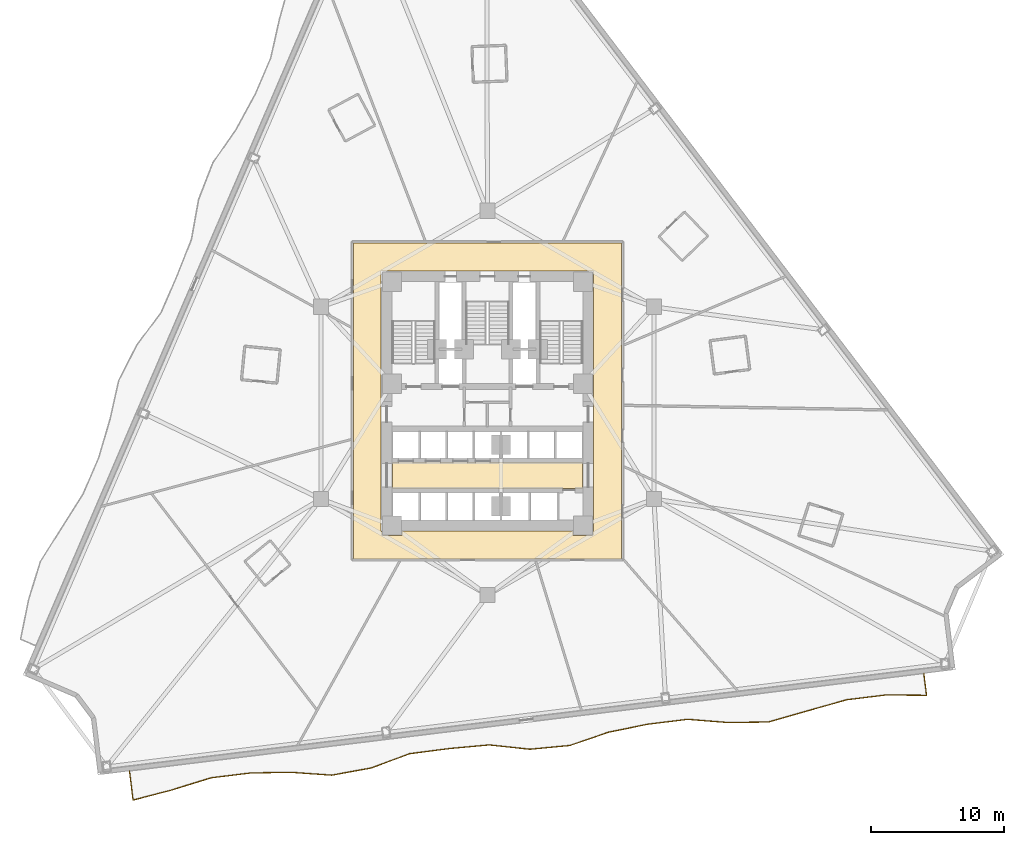
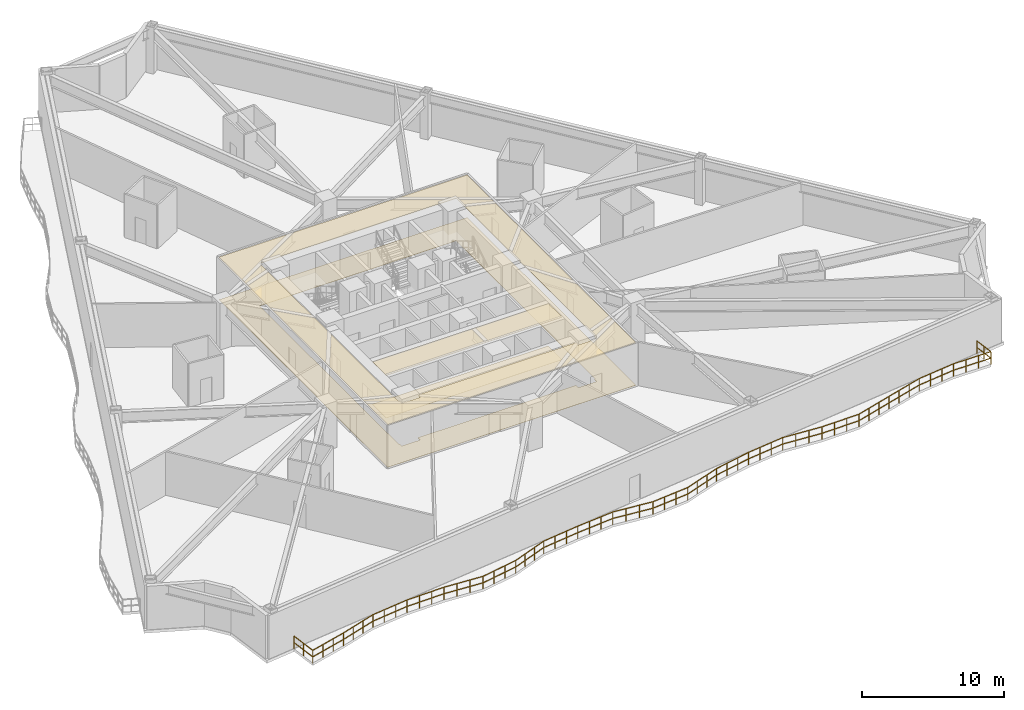
# One storey, part 9 of 12: 4 coverings, 1 railing.
"""IFC4 building model written with IfcOpenShell, lengths in metres."""

from ifc_helpers import new_model, si_unit, direction, frame, origin, origin_2d, place, context, subcontext, project, spatial, polyline, rectangle, outline, extrude, material, layer, layer_set, type_object, element, save


model = new_model("IFC4")

# Units and contexts
model_context = context("Model", 3, precision=1e-05, world=origin(), true_north=direction((0.0, 1.0)))
body_context = subcontext(model_context, "Body", "Model", "MODEL_VIEW")
ifc_project = project(units=[si_unit("LENGTHUNIT", "METRE"), si_unit("AREAUNIT", "SQUARE_METRE"), si_unit("VOLUMEUNIT", "CUBIC_METRE"), si_unit("PLANEANGLEUNIT", "RADIAN"), si_unit("MASSUNIT", "GRAM", prefix="KILO")], contexts=[model_context])

# Site, building, storey
site_placement = place(None, origin())
site = spatial("IfcSite", under=ifc_project, at=site_placement, CompositionType="ELEMENT")
building_placement = place(site_placement, origin())
building = spatial("IfcBuilding", under=site, at=building_placement, Name="Apsidion Concourse Tower", CompositionType="ELEMENT")
storey_placement = place(building_placement, frame((0.0, 0.0, 71.0)))
storey = spatial("IfcBuildingStorey", under=building, at=storey_placement, Name="L15", CompositionType="ELEMENT", Elevation=71.0)

# Coverings
ifc_material_1 = material(Name="Acoustic mineral fibre ceiling")
ifc_layer_1 = layer(ifc_material_1, 0.0400390625)
ifc_layer_set_1 = layer_set([ifc_layer_1], Name="Acoustic mineral fibre ceiling")
covering_type_1 = type_object("IfcCoveringType", Name="COV-CEIL-40", PredefinedType="CEILING", material=ifc_layer_set_1)
covering_1_placement = place(storey_placement, frame((0.0, 0.0, 3.64990234375)))
element("IfcCovering", 1, at=covering_1_placement, inside=storey, type_object=covering_type_1, Name="L15 Acoustic Ceiling Grid 1", PredefinedType="CEILING", context=body_context, shape_type="SweptSolid", body=[
    extrude(outline(polyline([(-7.179931640625, -6.449951171875), (-7.179931640625, -4.47998046875), (7.179931640625, -4.47998046875), (7.179931640625, -6.449951171875), (-7.179931640625, -6.449951171875)])), origin(), (0.0, 0.0, 1.0), 0.0400390625),
])
covering_2_placement = place(storey_placement, frame((0.0, 0.0, 3.64990234375)))
element("IfcCovering", 2, at=covering_2_placement, inside=storey, type_object=covering_type_1, Name="L15 Acoustic Ceiling Grid 2", PredefinedType="CEILING", context=body_context, shape_type="SweptSolid", body=[
    extrude(outline(polyline([(10.1201171875, 12.070068359375), (10.1201171875, -11.77001953125), (-10.1201171875, -11.77001953125), (-10.1201171875, 12.070068359375), (10.1201171875, 12.070068359375)]), holes=[polyline([(-8.02001953125, -9.669921875), (-7.945068359375, -9.669921875), (-7.945068359375, -9.97509765625), (-7.94482421875, -9.97705078125), (-7.944580078125, -9.97900390625), (-7.944091796875, -9.980712890625), (-7.943603515625, -9.982666015625), (-7.942626953125, -9.984375), (-7.941650390625, -9.986083984375), (-7.9404296875, -9.98779296875), (-7.939208984375, -9.989013671875), (-7.937744140625, -9.990478515625), (-7.93603515625, -9.99169921875), (-7.934326171875, -9.99267578125), (-7.9326171875, -9.993408203125), (-7.930908203125, -9.994140625), (-7.928955078125, -9.99462890625), (-7.927001953125, -9.994873046875), (-7.925048828125, -9.9951171875), (-6.47509765625, -9.9951171875), (-6.472900390625, -9.994873046875), (-6.47119140625, -9.99462890625), (-6.46923828125, -9.994140625), (-6.46728515625, -9.993408203125), (-6.465576171875, -9.99267578125), (-6.4638671875, -9.99169921875), (-6.46240234375, -9.990478515625), (-6.4609375, -9.989013671875), (-6.45947265625, -9.98779296875), (-6.45849609375, -9.986083984375), (-6.45751953125, -9.984375), (-6.45654296875, -9.982666015625), (-6.455810546875, -9.980712890625), (-6.455322265625, -9.97900390625), (-6.455078125, -9.97705078125), (-6.455078125, -9.97509765625), (-6.455078125, -9.669921875), (6.455078125, -9.669921875), (6.455078125, -9.97509765625), (6.455078125, -9.97705078125), (6.455322265625, -9.97900390625), (6.455810546875, -9.980712890625), (6.45654296875, -9.982666015625), (6.45751953125, -9.984375), (6.45849609375, -9.986083984375), (6.45947265625, -9.98779296875), (6.4609375, -9.989013671875), (6.46240234375, -9.990478515625), (6.4638671875, -9.99169921875), (6.465576171875, -9.99267578125), (6.46728515625, -9.993408203125), (6.46923828125, -9.994140625), (6.47119140625, -9.99462890625), (6.472900390625, -9.994873046875), (6.47509765625, -9.9951171875), (7.925048828125, -9.9951171875), (7.927001953125, -9.994873046875), (7.928955078125, -9.99462890625), (7.930908203125, -9.994140625), (7.9326171875, -9.993408203125), (7.934326171875, -9.99267578125), (7.93603515625, -9.99169921875), (7.937744140625, -9.990478515625), (7.939208984375, -9.989013671875), (7.9404296875, -9.98779296875), (7.941650390625, -9.986083984375), (7.942626953125, -9.984375), (7.943603515625, -9.982666015625), (7.944091796875, -9.980712890625), (7.944580078125, -9.97900390625), (7.94482421875, -9.97705078125), (7.945068359375, -9.97509765625), (7.945068359375, -9.669921875), (8.02001953125, -9.669921875), (8.02001953125, 9.969970703125), (-8.02001953125, 9.969970703125), (-8.02001953125, -9.669921875)])]), origin(), (0.0, 0.0, 1.0), 0.0400390625),
])
ifc_material_2 = material(Name="Honed travertine floor finish", Category="masonry")
ifc_layer_2 = layer(ifc_material_2, 0.02001953125)
ifc_layer_set_2 = layer_set([ifc_layer_2], Name="Honed travertine floor finish")
covering_type_2 = type_object("IfcCoveringType", Name="COV-FLOR-20", PredefinedType="FLOORING", material=ifc_layer_set_2)
covering_3_placement = place(storey_placement, origin())
element("IfcCovering", 3, at=covering_3_placement, inside=storey, type_object=covering_type_2, Name="L15 Honed Travertine Floor Finish 1", PredefinedType="FLOORING", context=body_context, shape_type="SweptSolid", body=[
    extrude(outline(polyline([(-7.179931640625, -6.449951171875), (-7.179931640625, -4.47998046875), (7.179931640625, -4.47998046875), (7.179931640625, -6.449951171875), (-7.179931640625, -6.449951171875)])), origin(), (0.0, 0.0, 1.0), 0.02001953125),
])
covering_4_placement = place(storey_placement, origin())
element("IfcCovering", 4, at=covering_4_placement, inside=storey, type_object=covering_type_2, Name="L15 Honed Travertine Floor Finish 2", PredefinedType="FLOORING", context=body_context, shape_type="SweptSolid", body=[
    extrude(outline(polyline([(10.1201171875, 12.070068359375), (10.1201171875, -11.77001953125), (-10.1201171875, -11.77001953125), (-10.1201171875, 12.070068359375), (10.1201171875, 12.070068359375)]), holes=[polyline([(-8.02001953125, -9.669921875), (-7.945068359375, -9.669921875), (-7.945068359375, -9.97509765625), (-7.94482421875, -9.97705078125), (-7.944580078125, -9.97900390625), (-7.944091796875, -9.980712890625), (-7.943603515625, -9.982666015625), (-7.942626953125, -9.984375), (-7.941650390625, -9.986083984375), (-7.9404296875, -9.98779296875), (-7.939208984375, -9.989013671875), (-7.937744140625, -9.990478515625), (-7.93603515625, -9.99169921875), (-7.934326171875, -9.99267578125), (-7.9326171875, -9.993408203125), (-7.930908203125, -9.994140625), (-7.928955078125, -9.99462890625), (-7.927001953125, -9.994873046875), (-7.925048828125, -9.9951171875), (-6.47509765625, -9.9951171875), (-6.472900390625, -9.994873046875), (-6.47119140625, -9.99462890625), (-6.46923828125, -9.994140625), (-6.46728515625, -9.993408203125), (-6.465576171875, -9.99267578125), (-6.4638671875, -9.99169921875), (-6.46240234375, -9.990478515625), (-6.4609375, -9.989013671875), (-6.45947265625, -9.98779296875), (-6.45849609375, -9.986083984375), (-6.45751953125, -9.984375), (-6.45654296875, -9.982666015625), (-6.455810546875, -9.980712890625), (-6.455322265625, -9.97900390625), (-6.455078125, -9.97705078125), (-6.455078125, -9.97509765625), (-6.455078125, -9.669921875), (6.455078125, -9.669921875), (6.455078125, -9.97509765625), (6.455078125, -9.97705078125), (6.455322265625, -9.97900390625), (6.455810546875, -9.980712890625), (6.45654296875, -9.982666015625), (6.45751953125, -9.984375), (6.45849609375, -9.986083984375), (6.45947265625, -9.98779296875), (6.4609375, -9.989013671875), (6.46240234375, -9.990478515625), (6.4638671875, -9.99169921875), (6.465576171875, -9.99267578125), (6.46728515625, -9.993408203125), (6.46923828125, -9.994140625), (6.47119140625, -9.99462890625), (6.472900390625, -9.994873046875), (6.47509765625, -9.9951171875), (7.925048828125, -9.9951171875), (7.927001953125, -9.994873046875), (7.928955078125, -9.99462890625), (7.930908203125, -9.994140625), (7.9326171875, -9.993408203125), (7.934326171875, -9.99267578125), (7.93603515625, -9.99169921875), (7.937744140625, -9.990478515625), (7.939208984375, -9.989013671875), (7.9404296875, -9.98779296875), (7.941650390625, -9.986083984375), (7.942626953125, -9.984375), (7.943603515625, -9.982666015625), (7.944091796875, -9.980712890625), (7.944580078125, -9.97900390625), (7.94482421875, -9.97705078125), (7.945068359375, -9.97509765625), (7.945068359375, -9.669921875), (8.02001953125, -9.669921875), (8.02001953125, 9.969970703125), (-8.02001953125, 9.969970703125), (-8.02001953125, -9.669921875)])]), origin(), (0.0, 0.0, 1.0), 0.02001953125),
])

# Railing
ifc_material_3 = material(Name="Brushed stainless steel 316", Category="steel")
railing_type = type_object("IfcRailingType", Name="RL-BAL-1120", PredefinedType="BALUSTRADE", material=ifc_material_3)
railing_placement = place(storey_placement, frame((32.931640625, -20.427734375, 0.0)))
element("IfcRailing", 5, at=railing_placement, inside=storey, type_object=railing_type, Name="L15 Face 2 Rippling Balcony Balustrade", PredefinedType="BALUSTRADE", context=body_context, shape_type="SweptSolid", body=[
    extrude(rectangle(XDim=0.048095703125, YDim=0.048095703125, at=origin_2d()), frame((0.0, 0.0, 1.09619140625), z_axis=(0.12192198888, -0.992539686173, 0.0), x_axis=(0.992539686173, 0.12192198888, 0.0)), (0.0, 0.0, 1.0), 1.64990234375),
    extrude(rectangle(XDim=0.048095703125, YDim=0.048095703125, at=origin_2d()), frame((0.0, 0.0, 0.5361328125), z_axis=(0.12192198888, -0.992539686173, 0.0), x_axis=(0.992539686173, 0.12192198888, 0.0)), (0.0, 0.0, 1.0), 1.64990234375),
    extrude(rectangle(XDim=0.048095703125, YDim=0.048095703125, at=origin_2d()), frame((0.201171875, -1.6376953125, 1.09619140625), z_axis=(-0.999954513391, 0.009537879696, 0.0), x_axis=(-0.009537879696, -0.999954513391, 0.0)), (0.0, 0.0, 1.0), 3.046142578125),
    extrude(rectangle(XDim=0.048095703125, YDim=0.048095703125, at=origin_2d()), frame((0.201171875, -1.6376953125, 0.5361328125), z_axis=(-0.999954513391, 0.009537879696, 0.0), x_axis=(-0.009537879696, -0.999954513391, 0.0)), (0.0, 0.0, 1.0), 3.046142578125),
    extrude(rectangle(XDim=0.048095703125, YDim=0.048095703125, at=origin_2d()), frame((-2.8447265625, -1.608642578125, 1.09619140625), z_axis=(-0.992550317551, -0.121835409998, 0.0), x_axis=(0.121835409998, -0.992550317551, 0.0)), (0.0, 0.0, 1.0), 3.019775390625),
    extrude(rectangle(XDim=0.048095703125, YDim=0.048095703125, at=origin_2d()), frame((-2.8447265625, -1.608642578125, 0.5361328125), z_axis=(-0.992550317551, -0.121835409998, 0.0), x_axis=(0.121835409998, -0.992550317551, 0.0)), (0.0, 0.0, 1.0), 3.019775390625),
    extrude(rectangle(XDim=0.048095703125, YDim=0.048095703125, at=origin_2d()), frame((-5.842041015625, -1.9765625, 1.09619140625), z_axis=(-0.962166532953, -0.27246203931, 0.0), x_axis=(0.27246203931, -0.962166532953, 0.0)), (0.0, 0.0, 1.0), 3.0556640625),
    extrude(rectangle(XDim=0.048095703125, YDim=0.048095703125, at=origin_2d()), frame((-5.842041015625, -1.9765625, 0.5361328125), z_axis=(-0.962166532953, -0.27246203931, 0.0), x_axis=(0.27246203931, -0.962166532953, 0.0)), (0.0, 0.0, 1.0), 3.0556640625),
    extrude(rectangle(XDim=0.048095703125, YDim=0.048095703125, at=origin_2d()), frame((-8.781982421875, -2.80908203125, 1.09619140625), z_axis=(-0.961370114659, -0.275258973771, 0.0), x_axis=(0.275258973771, -0.961370114659, 0.0)), (0.0, 0.0, 1.0), 3.057373046875),
    extrude(rectangle(XDim=0.048095703125, YDim=0.048095703125, at=origin_2d()), frame((-8.781982421875, -2.80908203125, 0.5361328125), z_axis=(-0.961370114659, -0.275258973771, 0.0), x_axis=(0.275258973771, -0.961370114659, 0.0)), (0.0, 0.0, 1.0), 3.057373046875),
    extrude(rectangle(XDim=0.048095703125, YDim=0.048095703125, at=origin_2d()), frame((-11.72119140625, -3.650634765625, 1.09619140625), z_axis=(-0.999904429496, -0.013825045167, 0.0), x_axis=(0.013825045167, -0.999904429496, 0.0)), (0.0, 0.0, 1.0), 3.037353515625),
    extrude(rectangle(XDim=0.048095703125, YDim=0.048095703125, at=origin_2d()), frame((-11.72119140625, -3.650634765625, 0.5361328125), z_axis=(-0.999904429496, -0.013825045167, 0.0), x_axis=(0.013825045167, -0.999904429496, 0.0)), (0.0, 0.0, 1.0), 3.037353515625),
    extrude(rectangle(XDim=0.048095703125, YDim=0.048095703125, at=origin_2d()), frame((-14.75830078125, -3.692626953125, 1.09619140625), z_axis=(-0.996863706465, 0.079137543131, 0.0), x_axis=(-0.079137543131, -0.996863706465, 0.0)), (0.0, 0.0, 1.0), 3.08203125),
    extrude(rectangle(XDim=0.048095703125, YDim=0.048095703125, at=origin_2d()), frame((-14.75830078125, -3.692626953125, 0.5361328125), z_axis=(-0.996863706465, 0.079137543131, 0.0), x_axis=(-0.079137543131, -0.996863706465, 0.0)), (0.0, 0.0, 1.0), 3.08203125),
    extrude(rectangle(XDim=0.048095703125, YDim=0.048095703125, at=origin_2d()), frame((-17.83056640625, -3.44873046875, 1.09619140625), z_axis=(-0.992549117334, -0.121845187343, 0.0), x_axis=(0.121845187343, -0.992549117334, 0.0)), (0.0, 0.0, 1.0), 3.01953125),
    extrude(rectangle(XDim=0.048095703125, YDim=0.048095703125, at=origin_2d()), frame((-17.83056640625, -3.44873046875, 0.5361328125), z_axis=(-0.992549117334, -0.121845187343, 0.0), x_axis=(0.121845187343, -0.992549117334, 0.0)), (0.0, 0.0, 1.0), 3.01953125),
    extrude(rectangle(XDim=0.048095703125, YDim=0.048095703125, at=origin_2d()), frame((-20.82763671875, -3.816650390625, 1.09619140625), z_axis=(-0.979788587872, -0.200035804483, 0.0), x_axis=(0.200035804483, -0.979788587872, 0.0)), (0.0, 0.0, 1.0), 3.029296875),
    extrude(rectangle(XDim=0.048095703125, YDim=0.048095703125, at=origin_2d()), frame((-20.82763671875, -3.816650390625, 0.5361328125), z_axis=(-0.979788587872, -0.200035804483, 0.0), x_axis=(0.200035804483, -0.979788587872, 0.0)), (0.0, 0.0, 1.0), 3.029296875),
    extrude(rectangle(XDim=0.048095703125, YDim=0.048095703125, at=origin_2d()), frame((-23.795654296875, -4.422607421875, 1.09619140625), z_axis=(-0.945967439842, -0.324261627021, 0.0), x_axis=(0.324261627021, -0.945967439842, 0.0)), (0.0, 0.0, 1.0), 3.086181640625),
    extrude(rectangle(XDim=0.048095703125, YDim=0.048095703125, at=origin_2d()), frame((-23.795654296875, -4.422607421875, 0.5361328125), z_axis=(-0.945967439842, -0.324261627021, 0.0), x_axis=(0.324261627021, -0.945967439842, 0.0)), (0.0, 0.0, 1.0), 3.086181640625),
    extrude(rectangle(XDim=0.048095703125, YDim=0.048095703125, at=origin_2d()), frame((-26.715087890625, -5.42333984375, 1.09619140625), z_axis=(-0.995535336699, -0.094389583023, 0.0), x_axis=(0.094389583023, -0.995535336699, 0.0)), (0.0, 0.0, 1.0), 3.02099609375),
    extrude(rectangle(XDim=0.048095703125, YDim=0.048095703125, at=origin_2d()), frame((-26.715087890625, -5.42333984375, 0.5361328125), z_axis=(-0.995535336699, -0.094389583023, 0.0), x_axis=(0.094389583023, -0.995535336699, 0.0)), (0.0, 0.0, 1.0), 3.02099609375),
    extrude(rectangle(XDim=0.048095703125, YDim=0.048095703125, at=origin_2d()), frame((-29.72265625, -5.70849609375, 1.09619140625), z_axis=(-0.994422709865, 0.105467881862, 0.0), x_axis=(-0.105467881862, -0.994422709865, 0.0)), (0.0, 0.0, 1.0), 3.099609375),
    extrude(rectangle(XDim=0.048095703125, YDim=0.048095703125, at=origin_2d()), frame((-29.72265625, -5.70849609375, 0.5361328125), z_axis=(-0.994422709865, 0.105467881862, 0.0), x_axis=(-0.105467881862, -0.994422709865, 0.0)), (0.0, 0.0, 1.0), 3.099609375),
    extrude(rectangle(XDim=0.048095703125, YDim=0.048095703125, at=origin_2d()), frame((-32.804931640625, -5.381591796875, 1.09619140625), z_axis=(-0.995844043502, -0.091074919827, 0.0), x_axis=(0.091074919827, -0.995844043502, 0.0)), (0.0, 0.0, 1.0), 3.02099609375),
    extrude(rectangle(XDim=0.048095703125, YDim=0.048095703125, at=origin_2d()), frame((-32.804931640625, -5.381591796875, 0.5361328125), z_axis=(-0.995844043502, -0.091074919827, 0.0), x_axis=(0.091074919827, -0.995844043502, 0.0)), (0.0, 0.0, 1.0), 3.02099609375),
    extrude(rectangle(XDim=0.048095703125, YDim=0.048095703125, at=origin_2d()), frame((-35.8134765625, -5.65673828125, 1.09619140625), z_axis=(-0.991755674549, -0.128143208948, 0.0), x_axis=(0.128143208948, -0.991755674549, 0.0)), (0.0, 0.0, 1.0), 3.019775390625),
    extrude(rectangle(XDim=0.048095703125, YDim=0.048095703125, at=origin_2d()), frame((-35.8134765625, -5.65673828125, 0.5361328125), z_axis=(-0.991755674549, -0.128143208948, 0.0), x_axis=(0.128143208948, -0.991755674549, 0.0)), (0.0, 0.0, 1.0), 3.019775390625),
    extrude(rectangle(XDim=0.048095703125, YDim=0.048095703125, at=origin_2d()), frame((-38.808349609375, -6.043701171875, 1.09619140625), z_axis=(-0.93736584675, -0.348346478877, 0.0), x_axis=(0.348346478877, -0.93736584675, 0.0)), (0.0, 0.0, 1.0), 3.10400390625),
    extrude(rectangle(XDim=0.048095703125, YDim=0.048095703125, at=origin_2d()), frame((-38.808349609375, -6.043701171875, 0.5361328125), z_axis=(-0.93736584675, -0.348346478877, 0.0), x_axis=(0.348346478877, -0.93736584675, 0.0)), (0.0, 0.0, 1.0), 3.10400390625),
    extrude(rectangle(XDim=0.048095703125, YDim=0.048095703125, at=origin_2d()), frame((-41.718017578125, -7.125, 1.09619140625), z_axis=(-0.984019375594, -0.178061417649, 0.0), x_axis=(0.178061417649, -0.984019375594, 0.0)), (0.0, 0.0, 1.0), 3.024658203125),
    extrude(rectangle(XDim=0.048095703125, YDim=0.048095703125, at=origin_2d()), frame((-41.718017578125, -7.125, 0.5361328125), z_axis=(-0.984019375594, -0.178061417649, 0.0), x_axis=(0.178061417649, -0.984019375594, 0.0)), (0.0, 0.0, 1.0), 3.024658203125),
    extrude(rectangle(XDim=0.048095703125, YDim=0.048095703125, at=origin_2d()), frame((-44.6943359375, -7.66357421875, 1.09619140625), z_axis=(-0.99750281729, 0.070626691121, 0.0), x_axis=(-0.070626691121, -0.99750281729, 0.0)), (0.0, 0.0, 1.0), 3.076416015625),
    extrude(rectangle(XDim=0.048095703125, YDim=0.048095703125, at=origin_2d()), frame((-44.6943359375, -7.66357421875, 0.5361328125), z_axis=(-0.99750281729, 0.070626691121, 0.0), x_axis=(-0.070626691121, -0.99750281729, 0.0)), (0.0, 0.0, 1.0), 3.076416015625),
    extrude(rectangle(XDim=0.048095703125, YDim=0.048095703125, at=origin_2d()), frame((-47.76318359375, -7.4462890625, 1.09619140625), z_axis=(-0.999862853785, -0.01656120832, 0.0), x_axis=(0.01656120832, -0.999862853785, 0.0)), (0.0, 0.0, 1.0), 3.036865234375),
    extrude(rectangle(XDim=0.048095703125, YDim=0.048095703125, at=origin_2d()), frame((-47.76318359375, -7.4462890625, 0.5361328125), z_axis=(-0.999862853785, -0.01656120832, 0.0), x_axis=(0.01656120832, -0.999862853785, 0.0)), (0.0, 0.0, 1.0), 3.036865234375),
    extrude(rectangle(XDim=0.048095703125, YDim=0.048095703125, at=origin_2d()), frame((-50.799560546875, -7.49658203125, 1.09619140625), z_axis=(-0.992539336111, -0.121924838616, 0.0), x_axis=(0.121924838616, -0.992539336111, 0.0)), (0.0, 0.0, 1.0), 3.01953125),
    extrude(rectangle(XDim=0.048095703125, YDim=0.048095703125, at=origin_2d()), frame((-50.799560546875, -7.49658203125, 0.5361328125), z_axis=(-0.992539336111, -0.121924838616, 0.0), x_axis=(0.121924838616, -0.992539336111, 0.0)), (0.0, 0.0, 1.0), 3.01953125),
    extrude(rectangle(XDim=0.048095703125, YDim=0.048095703125, at=origin_2d()), frame((-53.796630859375, -7.86474609375, 1.09619140625), z_axis=(-0.955214692199, -0.295913656001, 0.0), x_axis=(0.295913656001, -0.955214692199, 0.0)), (0.0, 0.0, 1.0), 3.068359375),
    extrude(rectangle(XDim=0.048095703125, YDim=0.048095703125, at=origin_2d()), frame((-53.796630859375, -7.86474609375, 0.5361328125), z_axis=(-0.955214692199, -0.295913656001, 0.0), x_axis=(0.295913656001, -0.955214692199, 0.0)), (0.0, 0.0, 1.0), 3.068359375),
    extrude(rectangle(XDim=0.048095703125, YDim=0.048095703125, at=origin_2d()), frame((-56.7275390625, -8.772705078125, 1.09619140625), z_axis=(-0.967469886349, -0.252986203197, 0.0), x_axis=(0.252986203197, -0.967469886349, 0.0)), (0.0, 0.0, 1.0), 3.046630859375),
    extrude(rectangle(XDim=0.048095703125, YDim=0.048095703125, at=origin_2d()), frame((-56.7275390625, -8.772705078125, 0.5361328125), z_axis=(-0.967469886349, -0.252986203197, 0.0), x_axis=(0.252986203197, -0.967469886349, 0.0)), (0.0, 0.0, 1.0), 3.046630859375),
    extrude(rectangle(XDim=0.048095703125, YDim=0.048095703125, at=origin_2d()), frame((-59.675048828125, -9.54345703125, 1.09619140625), z_axis=(-0.121958429659, 0.992535209166, 0.0), x_axis=(-0.992535209166, -0.121958429659, 0.0)), (0.0, 0.0, 1.0), 2.199951171875),
    extrude(rectangle(XDim=0.048095703125, YDim=0.048095703125, at=origin_2d()), frame((-59.675048828125, -9.54345703125, 0.5361328125), z_axis=(-0.121958429659, 0.992535209166, 0.0), x_axis=(-0.992535209166, -0.121958429659, 0.0)), (0.0, 0.0, 1.0), 2.199951171875),
    extrude(rectangle(XDim=0.0419921875, YDim=0.0419921875, at=origin_2d()), origin(), (0.0, 0.0, 1.0), 1.072021484375),
    extrude(rectangle(XDim=0.0419921875, YDim=0.0419921875, at=origin_2d()), frame((0.1005859375, -0.81884765625, 0.0)), (0.0, 0.0, 1.0), 1.072021484375),
    extrude(rectangle(XDim=0.0419921875, YDim=0.0419921875, at=origin_2d()), frame((0.201171875, -1.6376953125, 0.0)), (0.0, 0.0, 1.0), 1.072021484375),
    extrude(rectangle(XDim=0.0419921875, YDim=0.0419921875, at=origin_2d()), frame((-0.814208984375, -1.6279296875, 0.0)), (0.0, 0.0, 1.0), 1.072021484375),
    extrude(rectangle(XDim=0.0419921875, YDim=0.0419921875, at=origin_2d()), frame((-1.829345703125, -1.618408203125, 0.0)), (0.0, 0.0, 1.0), 1.072021484375),
    extrude(rectangle(XDim=0.0419921875, YDim=0.0419921875, at=origin_2d()), frame((-2.8447265625, -1.608642578125, 0.0)), (0.0, 0.0, 1.0), 1.072021484375),
    extrude(rectangle(XDim=0.0419921875, YDim=0.0419921875, at=origin_2d()), frame((-3.84375, -1.731201171875, 0.0)), (0.0, 0.0, 1.0), 1.072021484375),
    extrude(rectangle(XDim=0.0419921875, YDim=0.0419921875, at=origin_2d()), frame((-4.843017578125, -1.85400390625, 0.0)), (0.0, 0.0, 1.0), 1.072021484375),
    extrude(rectangle(XDim=0.0419921875, YDim=0.0419921875, at=origin_2d()), frame((-5.842041015625, -1.9765625, 0.0)), (0.0, 0.0, 1.0), 1.072021484375),
    extrude(rectangle(XDim=0.0419921875, YDim=0.0419921875, at=origin_2d()), frame((-6.822021484375, -2.254150390625, 0.0)), (0.0, 0.0, 1.0), 1.072021484375),
    extrude(rectangle(XDim=0.0419921875, YDim=0.0419921875, at=origin_2d()), frame((-7.802001953125, -2.531494140625, 0.0)), (0.0, 0.0, 1.0), 1.072021484375),
    extrude(rectangle(XDim=0.0419921875, YDim=0.0419921875, at=origin_2d()), frame((-8.781982421875, -2.80908203125, 0.0)), (0.0, 0.0, 1.0), 1.072021484375),
    extrude(rectangle(XDim=0.0419921875, YDim=0.0419921875, at=origin_2d()), frame((-9.76171875, -3.089599609375, 0.0)), (0.0, 0.0, 1.0), 1.072021484375),
    extrude(rectangle(XDim=0.0419921875, YDim=0.0419921875, at=origin_2d()), frame((-10.741455078125, -3.3701171875, 0.0)), (0.0, 0.0, 1.0), 1.072021484375),
    extrude(rectangle(XDim=0.0419921875, YDim=0.0419921875, at=origin_2d()), frame((-11.72119140625, -3.650634765625, 0.0)), (0.0, 0.0, 1.0), 1.072021484375),
    extrude(rectangle(XDim=0.0419921875, YDim=0.0419921875, at=origin_2d()), frame((-12.733642578125, -3.66455078125, 0.0)), (0.0, 0.0, 1.0), 1.072021484375),
    extrude(rectangle(XDim=0.0419921875, YDim=0.0419921875, at=origin_2d()), frame((-13.745849609375, -3.6787109375, 0.0)), (0.0, 0.0, 1.0), 1.072021484375),
    extrude(rectangle(XDim=0.0419921875, YDim=0.0419921875, at=origin_2d()), frame((-14.75830078125, -3.692626953125, 0.0)), (0.0, 0.0, 1.0), 1.072021484375),
    extrude(rectangle(XDim=0.0419921875, YDim=0.0419921875, at=origin_2d()), frame((-15.782470703125, -3.611328125, 0.0)), (0.0, 0.0, 1.0), 1.072021484375),
    extrude(rectangle(XDim=0.0419921875, YDim=0.0419921875, at=origin_2d()), frame((-16.806396484375, -3.530029296875, 0.0)), (0.0, 0.0, 1.0), 1.072021484375),
    extrude(rectangle(XDim=0.0419921875, YDim=0.0419921875, at=origin_2d()), frame((-17.83056640625, -3.44873046875, 0.0)), (0.0, 0.0, 1.0), 1.072021484375),
    extrude(rectangle(XDim=0.0419921875, YDim=0.0419921875, at=origin_2d()), frame((-18.82958984375, -3.5712890625, 0.0)), (0.0, 0.0, 1.0), 1.072021484375),
    extrude(rectangle(XDim=0.0419921875, YDim=0.0419921875, at=origin_2d()), frame((-19.82861328125, -3.694091796875, 0.0)), (0.0, 0.0, 1.0), 1.072021484375),
    extrude(rectangle(XDim=0.0419921875, YDim=0.0419921875, at=origin_2d()), frame((-20.82763671875, -3.816650390625, 0.0)), (0.0, 0.0, 1.0), 1.072021484375),
    extrude(rectangle(XDim=0.0419921875, YDim=0.0419921875, at=origin_2d()), frame((-21.81689453125, -4.0185546875, 0.0)), (0.0, 0.0, 1.0), 1.072021484375),
    extrude(rectangle(XDim=0.0419921875, YDim=0.0419921875, at=origin_2d()), frame((-22.806396484375, -4.220703125, 0.0)), (0.0, 0.0, 1.0), 1.072021484375),
    extrude(rectangle(XDim=0.0419921875, YDim=0.0419921875, at=origin_2d()), frame((-23.795654296875, -4.422607421875, 0.0)), (0.0, 0.0, 1.0), 1.072021484375),
    extrude(rectangle(XDim=0.0419921875, YDim=0.0419921875, at=origin_2d()), frame((-24.768798828125, -4.756103515625, 0.0)), (0.0, 0.0, 1.0), 1.072021484375),
    extrude(rectangle(XDim=0.0419921875, YDim=0.0419921875, at=origin_2d()), frame((-25.741943359375, -5.08984375, 0.0)), (0.0, 0.0, 1.0), 1.072021484375),
    extrude(rectangle(XDim=0.0419921875, YDim=0.0419921875, at=origin_2d()), frame((-26.715087890625, -5.42333984375, 0.0)), (0.0, 0.0, 1.0), 1.072021484375),
    extrude(rectangle(XDim=0.0419921875, YDim=0.0419921875, at=origin_2d()), frame((-27.717529296875, -5.518310546875, 0.0)), (0.0, 0.0, 1.0), 1.072021484375),
    extrude(rectangle(XDim=0.0419921875, YDim=0.0419921875, at=origin_2d()), frame((-28.72021484375, -5.613525390625, 0.0)), (0.0, 0.0, 1.0), 1.072021484375),
    extrude(rectangle(XDim=0.0419921875, YDim=0.0419921875, at=origin_2d()), frame((-29.72265625, -5.70849609375, 0.0)), (0.0, 0.0, 1.0), 1.072021484375),
    extrude(rectangle(XDim=0.0419921875, YDim=0.0419921875, at=origin_2d()), frame((-30.75, -5.599609375, 0.0)), (0.0, 0.0, 1.0), 1.072021484375),
    extrude(rectangle(XDim=0.0419921875, YDim=0.0419921875, at=origin_2d()), frame((-31.777587890625, -5.490478515625, 0.0)), (0.0, 0.0, 1.0), 1.072021484375),
    extrude(rectangle(XDim=0.0419921875, YDim=0.0419921875, at=origin_2d()), frame((-32.804931640625, -5.381591796875, 0.0)), (0.0, 0.0, 1.0), 1.072021484375),
    extrude(rectangle(XDim=0.0419921875, YDim=0.0419921875, at=origin_2d()), frame((-33.807861328125, -5.473388671875, 0.0)), (0.0, 0.0, 1.0), 1.072021484375),
    extrude(rectangle(XDim=0.0419921875, YDim=0.0419921875, at=origin_2d()), frame((-34.810546875, -5.56494140625, 0.0)), (0.0, 0.0, 1.0), 1.072021484375),
    extrude(rectangle(XDim=0.0419921875, YDim=0.0419921875, at=origin_2d()), frame((-35.8134765625, -5.65673828125, 0.0)), (0.0, 0.0, 1.0), 1.072021484375),
    extrude(rectangle(XDim=0.0419921875, YDim=0.0419921875, at=origin_2d()), frame((-36.811767578125, -5.78564453125, 0.0)), (0.0, 0.0, 1.0), 1.072021484375),
    extrude(rectangle(XDim=0.0419921875, YDim=0.0419921875, at=origin_2d()), frame((-37.81005859375, -5.914794921875, 0.0)), (0.0, 0.0, 1.0), 1.072021484375),
    extrude(rectangle(XDim=0.0419921875, YDim=0.0419921875, at=origin_2d()), frame((-38.808349609375, -6.043701171875, 0.0)), (0.0, 0.0, 1.0), 1.072021484375),
    extrude(rectangle(XDim=0.0419921875, YDim=0.0419921875, at=origin_2d()), frame((-39.7783203125, -6.404052734375, 0.0)), (0.0, 0.0, 1.0), 1.072021484375),
    extrude(rectangle(XDim=0.0419921875, YDim=0.0419921875, at=origin_2d()), frame((-40.748046875, -6.7646484375, 0.0)), (0.0, 0.0, 1.0), 1.072021484375),
    extrude(rectangle(XDim=0.0419921875, YDim=0.0419921875, at=origin_2d()), frame((-41.718017578125, -7.125, 0.0)), (0.0, 0.0, 1.0), 1.072021484375),
    extrude(rectangle(XDim=0.0419921875, YDim=0.0419921875, at=origin_2d()), frame((-42.710205078125, -7.304443359375, 0.0)), (0.0, 0.0, 1.0), 1.072021484375),
    extrude(rectangle(XDim=0.0419921875, YDim=0.0419921875, at=origin_2d()), frame((-43.7021484375, -7.484130859375, 0.0)), (0.0, 0.0, 1.0), 1.072021484375),
    extrude(rectangle(XDim=0.0419921875, YDim=0.0419921875, at=origin_2d()), frame((-44.6943359375, -7.66357421875, 0.0)), (0.0, 0.0, 1.0), 1.072021484375),
    extrude(rectangle(XDim=0.0419921875, YDim=0.0419921875, at=origin_2d()), frame((-45.71728515625, -7.591064453125, 0.0)), (0.0, 0.0, 1.0), 1.072021484375),
    extrude(rectangle(XDim=0.0419921875, YDim=0.0419921875, at=origin_2d()), frame((-46.740234375, -7.518798828125, 0.0)), (0.0, 0.0, 1.0), 1.072021484375),
    extrude(rectangle(XDim=0.0419921875, YDim=0.0419921875, at=origin_2d()), frame((-47.76318359375, -7.4462890625, 0.0)), (0.0, 0.0, 1.0), 1.072021484375),
    extrude(rectangle(XDim=0.0419921875, YDim=0.0419921875, at=origin_2d()), frame((-48.775390625, -7.463134765625, 0.0)), (0.0, 0.0, 1.0), 1.072021484375),
    extrude(rectangle(XDim=0.0419921875, YDim=0.0419921875, at=origin_2d()), frame((-49.787353515625, -7.479736328125, 0.0)), (0.0, 0.0, 1.0), 1.072021484375),
    extrude(rectangle(XDim=0.0419921875, YDim=0.0419921875, at=origin_2d()), frame((-50.799560546875, -7.49658203125, 0.0)), (0.0, 0.0, 1.0), 1.072021484375),
    extrude(rectangle(XDim=0.0419921875, YDim=0.0419921875, at=origin_2d()), frame((-51.798583984375, -7.619384765625, 0.0)), (0.0, 0.0, 1.0), 1.072021484375),
    extrude(rectangle(XDim=0.0419921875, YDim=0.0419921875, at=origin_2d()), frame((-52.797607421875, -7.741943359375, 0.0)), (0.0, 0.0, 1.0), 1.072021484375),
    extrude(rectangle(XDim=0.0419921875, YDim=0.0419921875, at=origin_2d()), frame((-53.796630859375, -7.86474609375, 0.0)), (0.0, 0.0, 1.0), 1.072021484375),
    extrude(rectangle(XDim=0.0419921875, YDim=0.0419921875, at=origin_2d()), frame((-54.773681640625, -8.16748046875, 0.0)), (0.0, 0.0, 1.0), 1.072021484375),
    extrude(rectangle(XDim=0.0419921875, YDim=0.0419921875, at=origin_2d()), frame((-55.75048828125, -8.469970703125, 0.0)), (0.0, 0.0, 1.0), 1.072021484375),
    extrude(rectangle(XDim=0.0419921875, YDim=0.0419921875, at=origin_2d()), frame((-56.7275390625, -8.772705078125, 0.0)), (0.0, 0.0, 1.0), 1.072021484375),
    extrude(rectangle(XDim=0.0419921875, YDim=0.0419921875, at=origin_2d()), frame((-57.7099609375, -9.029541015625, 0.0)), (0.0, 0.0, 1.0), 1.072021484375),
    extrude(rectangle(XDim=0.0419921875, YDim=0.0419921875, at=origin_2d()), frame((-58.692626953125, -9.28662109375, 0.0)), (0.0, 0.0, 1.0), 1.072021484375),
    extrude(rectangle(XDim=0.0419921875, YDim=0.0419921875, at=origin_2d()), frame((-59.675048828125, -9.54345703125, 0.0)), (0.0, 0.0, 1.0), 1.072021484375),
    extrude(rectangle(XDim=0.0419921875, YDim=0.0419921875, at=origin_2d()), frame((-59.80908203125, -8.45166015625, 0.0)), (0.0, 0.0, 1.0), 1.072021484375),
    extrude(rectangle(XDim=0.0419921875, YDim=0.0419921875, at=origin_2d()), frame((-59.943359375, -7.35986328125, 0.0)), (0.0, 0.0, 1.0), 1.072021484375),
])

save(model, "model.ifc")
